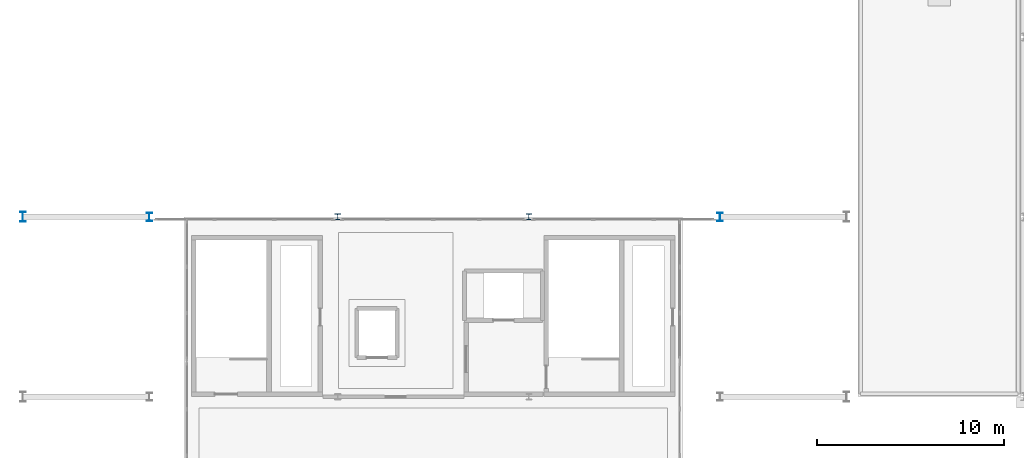
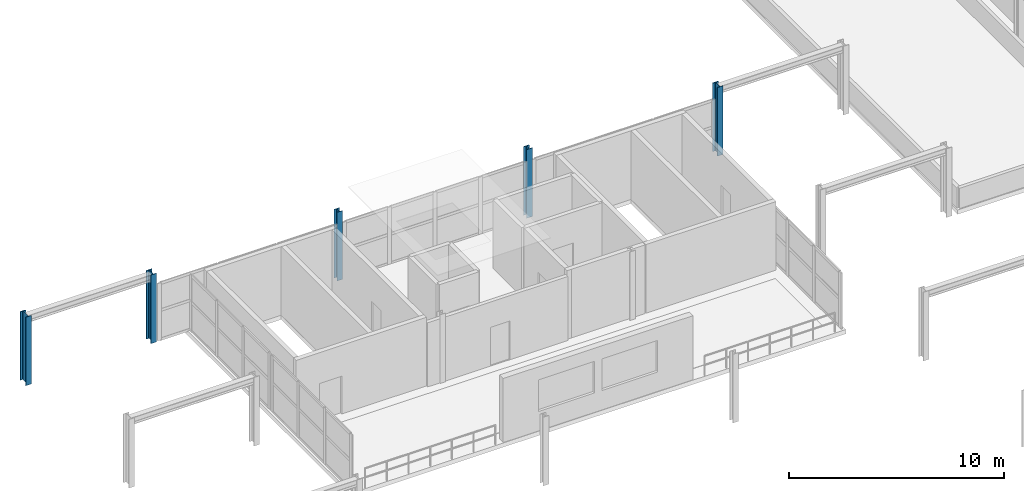
# One storey, part 9 of 52: 5 columns.
"""IFC4 building model written with IfcOpenShell, lengths in metres."""

from ifc_helpers import new_model, si_unit, direction, frame, origin, origin_2d, place, context, subcontext, project, spatial, i_section, extrude, material, material_profile, profile_set, type_object, element, save


model = new_model("IFC4")

# Units and contexts
model_context = context("Model", 3, precision=1e-05, world=origin(), true_north=direction((0.0, 1.0)))
body_context = subcontext(model_context, "Body", "Model", "MODEL_VIEW")
ifc_project = project(units=[si_unit("LENGTHUNIT", "METRE"), si_unit("AREAUNIT", "SQUARE_METRE"), si_unit("VOLUMEUNIT", "CUBIC_METRE"), si_unit("PLANEANGLEUNIT", "RADIAN"), si_unit("MASSUNIT", "GRAM", prefix="KILO")], contexts=[model_context])

# Site, building, storey
site_placement = place(None, origin())
site = spatial("IfcSite", under=ifc_project, at=site_placement, CompositionType="ELEMENT")
building_placement = place(site_placement, origin())
building = spatial("IfcBuilding", under=site, at=building_placement, Name="Myrtia Square Station", CompositionType="ELEMENT")
storey_placement = place(building_placement, frame((0.0, 0.0, 15.0)))
storey = spatial("IfcBuildingStorey", under=building, at=storey_placement, Name="L03", CompositionType="ELEMENT", Elevation=15.0)

# Columns
ifc_material = material(Name="Steel S355", Category="steel")
ifc_material_profile_1 = material_profile(ifc_material, i_section(OverallWidth=0.300048828125, OverallDepth=0.5400390625, WebThickness=0.012451171875, FlangeThickness=0.02392578125, FilletRadius=0.027099609375, at=origin_2d()), Name="HEA 550")
ifc_profile_set_1 = profile_set([ifc_material_profile_1], Name="Steel S355")
column_type_1 = type_object("IfcColumnType", Name="COL-HEA550", PredefinedType="COLUMN", material=ifc_profile_set_1)
column_placement = place(storey_placement, frame((72.60009765625, 96.0, 0.0), z_axis=(0.0, 0.0, 1.0), x_axis=(1.0, 0.0, 0.0)))
element("IfcColumn", 1, at=column_placement, inside=storey, type_object=column_type_1, Name="Column L03-0399", PredefinedType="COLUMN", context=body_context, shape_type="SweptSolid", body=[
    extrude(i_section(OverallWidth=0.300048828125, OverallDepth=0.5400390625, WebThickness=0.012451171875, FlangeThickness=0.02392578125, FilletRadius=0.027099609375, at=origin_2d()), origin(), (0.0, 0.0, 1.0), 3.89990234375),
])
ifc_material_profile_2 = material_profile(ifc_material, i_section(OverallWidth=0.300048828125, OverallDepth=0.300048828125, WebThickness=0.010986328125, FlangeThickness=0.01904296875, FilletRadius=0.027099609375, at=origin_2d()), Name="HEB 300")
ifc_profile_set_2 = profile_set([ifc_material_profile_2], Name="Steel S355")
column_type_2 = type_object("IfcColumnType", Name="COL-HEB300", PredefinedType="COLUMN", material=ifc_profile_set_2)
for number, where, z_axis, x_axis, name in (
    (2, (89.39990234375, 96.0, 0.0), (0.0, 0.0, 1.0), (1.0, 0.0, 0.0), "Column L03-0448"),
    (3, (99.60009765625, 96.0, 0.0), (0.0, 0.0, 1.0), (1.0, 0.0, 0.0), "Column L03-0480"),
):
    element("IfcColumn", number, at=place(storey_placement, frame(where, z_axis=z_axis, x_axis=x_axis)), inside=storey, type_object=column_type_2, Name=name, PredefinedType="COLUMN", context=body_context, shape_type="SweptSolid", body=[
        extrude(i_section(OverallWidth=0.300048828125, OverallDepth=0.300048828125, WebThickness=0.010986328125, FlangeThickness=0.01904296875, FilletRadius=0.027099609375, at=origin_2d()), origin(), (0.0, 0.0, 1.0), 3.89990234375),
    ])
ifc_material_profile_3 = material_profile(ifc_material, i_section(OverallWidth=0.300048828125, OverallDepth=0.449951171875, WebThickness=0.013916015625, FlangeThickness=0.02587890625, FilletRadius=0.027099609375, at=origin_2d()), Name="HEB 450")
ifc_profile_set_3 = profile_set([ifc_material_profile_3], Name="Steel S355")
column_type_3 = type_object("IfcColumnType", Name="COL-HEB450", PredefinedType="COLUMN", material=ifc_profile_set_3)
for number, where, z_axis, x_axis, name in (
    (4, (79.35009765625, 96.0, 0.0), (0.0, 0.0, 1.0), (1.0, 0.0, 0.0), "Column L03-0409"),
    (5, (109.800048828125, 96.0, 0.0), (0.0, 0.0, 1.0), (1.0, 0.0, 0.0), "Column L03-0415"),
):
    element("IfcColumn", number, at=place(storey_placement, frame(where, z_axis=z_axis, x_axis=x_axis)), inside=storey, type_object=column_type_3, Name=name, PredefinedType="COLUMN", context=body_context, shape_type="SweptSolid", body=[
        extrude(i_section(OverallWidth=0.300048828125, OverallDepth=0.449951171875, WebThickness=0.013916015625, FlangeThickness=0.02587890625, FilletRadius=0.027099609375, at=origin_2d()), origin(), (0.0, 0.0, 1.0), 3.89990234375),
    ])

save(model, "model.ifc")
